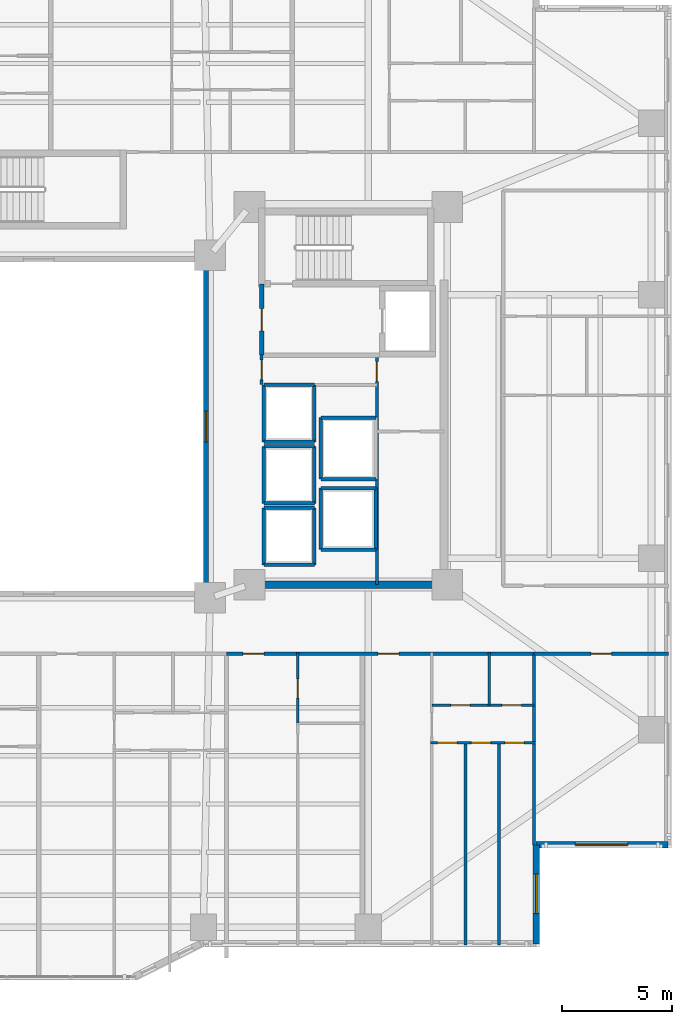
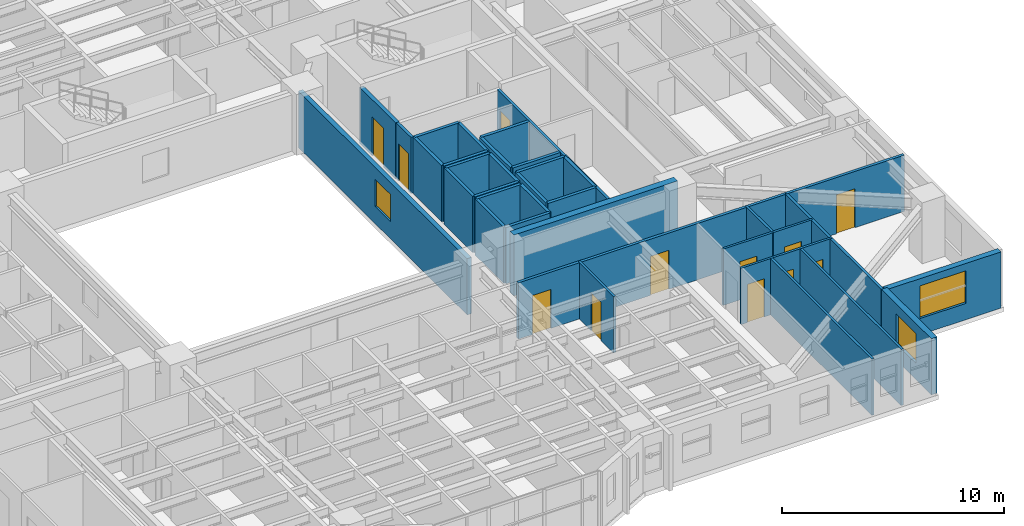
# One storey, part 13 of 22: 36 walls, 12 doors, 3 windows, 15 openings.
"""IFC4 building model written with IfcOpenShell, lengths in metres."""

import ifcopenshell
import ifcopenshell.guid

model = None  # the IFC model being written
_history = None  # IfcOwnerHistory: only IFC2X3 demands one
_inside = {}  # id of a spatial element -> (the spatial element, [elements in it])
_under = {}  # id of a project, library or spatial element -> (it, [spatial elements below it])
_declared = {}  # id of a project -> (the project, [libraries it declares])
_typed = {}  # id of a type object -> (the type object, [elements of that type])
_made_of = {}  # id of a material, layer set ... -> (it, [elements and type objects made of it])


def new_model(schema):
    """Start an empty IFC model of exactly this schema.

    Asked for "IFC4X3", IfcOpenShell would pick the latest addendum, in which some entities
    have other attributes; the version numbers below select the first issue.
    IFC2X3 requires an IfcOwnerHistory on every rooted entity: one is made here for all.
    """
    global model, _history
    if schema == "IFC4X3":
        model = ifcopenshell.file(schema_version=(4, 3, 0, 0))
    else:
        model = ifcopenshell.file(schema=schema)
    _inside.clear()
    _under.clear()
    _declared.clear()
    _typed.clear()
    _made_of.clear()
    _history = None
    if model.schema == "IFC2X3":
        org = make("IfcOrganization", Name="unknown")
        user = make(
            "IfcPersonAndOrganization",
            ThePerson=make("IfcPerson", FamilyName="unknown"),
            TheOrganization=org,
        )
        app = make(
            "IfcApplication",
            ApplicationDeveloper=org,
            Version="unknown",
            ApplicationFullName="unknown",
            ApplicationIdentifier="unknown",
        )
        _history = make(
            "IfcOwnerHistory",
            OwningUser=user,
            OwningApplication=app,
            ChangeAction="ADDED",
            CreationDate=0,
        )
    return model


def make(cls, **values):
    """One entity of the class cls with the attributes given. An attribute that is None is left unset."""
    return model.create_entity(
        cls, **{name: value for name, value in values.items() if value is not None}
    )


def rooted(cls, **values):
    """An entity with a GlobalId (a new one), such as an element, a storey or a relation."""
    return make(cls, GlobalId=ifcopenshell.guid.new(), OwnerHistory=_history, **values)


def si_unit(unit_type, name, prefix=None):
    """IfcSIUnit, for example si_unit("LENGTHUNIT", "METRE", prefix="MILLI")."""
    return make("IfcSIUnit", UnitType=unit_type, Prefix=prefix, Name=name)


def assignment(units):
    """IfcUnitAssignment: the units of a project."""
    return None if units is None else make("IfcUnitAssignment", Units=units)


def point(xyz):
    """IfcCartesianPoint."""
    return None if xyz is None else make("IfcCartesianPoint", Coordinates=xyz)


def direction(xyz):
    """IfcDirection."""
    return None if xyz is None else make("IfcDirection", DirectionRatios=xyz)


def frame(location, z_axis=None, x_axis=None):
    """IfcAxis2Placement3D, a coordinate frame: its origin and axes. An axis left out is left unset."""
    return make(
        "IfcAxis2Placement3D",
        Location=point(location),
        Axis=direction(z_axis),
        RefDirection=direction(x_axis),
    )


def frame_2d(location, x_axis=None):
    """IfcAxis2Placement2D, a coordinate frame in the plane: its origin and x axis."""
    return make(
        "IfcAxis2Placement2D", Location=point(location), RefDirection=direction(x_axis)
    )


def origin():
    """The frame at (0, 0, 0) with its axes left unset."""
    return frame((0.0, 0.0, 0.0))


def place(relative_to, where):
    """IfcLocalPlacement: puts the frame where relative to a parent placement (None: the world)."""
    return make(
        "IfcLocalPlacement", PlacementRelTo=relative_to, RelativePlacement=where
    )


def context(
    kind, dimensions, precision=None, world=None, true_north=None, identifier=None
):
    """IfcGeometricRepresentationContext, for example the 3D "Model" context."""
    return make(
        "IfcGeometricRepresentationContext",
        ContextIdentifier=identifier,
        ContextType=kind,
        CoordinateSpaceDimension=dimensions,
        Precision=precision,
        WorldCoordinateSystem=world,
        TrueNorth=true_north,
    )


def subcontext(parent, identifier, kind, view, scale=None):
    """IfcGeometricRepresentationSubContext, for example "Body" below "Model"."""
    return make(
        "IfcGeometricRepresentationSubContext",
        ContextIdentifier=identifier,
        ContextType=kind,
        ParentContext=parent,
        TargetScale=scale,
        TargetView=view,
    )


def project(units=None, contexts=None):
    """IfcProject with its units and contexts."""
    return rooted(
        "IfcProject",
        Name="project",
        RepresentationContexts=contexts,
        UnitsInContext=assignment(units),
    )


def spatial(cls, under=None, at=None, **own):
    """A site, building, storey or space (cls), placed at a placement, below another one or the project."""
    s = rooted(cls, ObjectPlacement=at, **own)
    if under is not None:
        _under.setdefault(under.id(), (under, []))[1].append(s)
    return s


def profile(cls, at=None, kind="AREA", **sizes):
    """A parametric profile (cls). Its sizes go by their IFC names, for example OverallWidth=200.0."""
    return make(cls, ProfileType=kind, Position=at, **sizes)


def rectangle(**sizes):
    """IfcRectangleProfileDef."""
    return profile("IfcRectangleProfileDef", **sizes)


def extrude(swept, where, along, depth):
    """IfcExtrudedAreaSolid: the profile swept, set in the frame where, extruded along a direction by depth."""
    return make(
        "IfcExtrudedAreaSolid",
        SweptArea=swept,
        Position=where,
        ExtrudedDirection=direction(along),
        Depth=depth,
    )


def shape(context_of_items, identifier, shape_type, items):
    """IfcShapeRepresentation: the items that make up one representation, for example the "Body"."""
    return make(
        "IfcShapeRepresentation",
        ContextOfItems=context_of_items,
        RepresentationIdentifier=identifier,
        RepresentationType=shape_type,
        Items=items,
    )


def material(Name=None, Category=None):
    """IfcMaterial."""
    return make("IfcMaterial", Name=Name, Category=Category)


def layer(
    of_material, thickness, ventilated=None, Name=None, Category=None, Priority=None
):
    """IfcMaterialLayer: one layer of a wall or slab, of a material (None: an air gap)."""
    return make(
        "IfcMaterialLayer",
        Material=of_material,
        LayerThickness=thickness,
        IsVentilated=ventilated,
        Name=Name,
        Category=Category,
        Priority=Priority,
    )


def layer_set(layers, Name=None):
    """IfcMaterialLayerSet."""
    return make("IfcMaterialLayerSet", MaterialLayers=layers, LayerSetName=Name)


def made_of(thing, what):
    """Note that an element or type object is made of a material, layer set ...; save() writes the relation."""
    if what is not None:
        _made_of.setdefault(what.id(), (what, []))[1].append(thing)
    return thing


def type_object(cls, material=None, **own):
    """A type object (cls), such as IfcWallType, which elements share."""
    return made_of(rooted(cls, **own), material)


def element(
    cls,
    number,
    at=None,
    inside=None,
    cuts=None,
    type_object=None,
    material=None,
    context=None,
    identifier="Body",
    shape_type=None,
    held_by="IfcProductDefinitionShape",
    body=None,
    shapes=None,
    **own,
):
    """One element of the class cls, such as IfcWall. Its Tag is "e" and its number.

    at: its placement. inside: the storey or other place that contains it. cuts: it is an
    opening in that element (IfcRelVoidsElement). A single representation is given by context,
    identifier, shape_type and body (its items); several are given by shapes. held_by: the class
    of the entity that holds the representations. save() writes the other relations.
    """
    e = rooted(cls, Tag="e%d" % number, ObjectPlacement=at, **own)
    if body is not None:
        shapes = [shape(context, identifier, shape_type, body)]
    if shapes is not None:
        e.Representation = make(held_by, Representations=shapes)
    if inside is not None:
        _inside.setdefault(inside.id(), (inside, []))[1].append(e)
    if cuts is not None:
        rooted(
            "IfcRelVoidsElement", RelatingBuildingElement=cuts, RelatedOpeningElement=e
        )
    if type_object is not None:
        _typed.setdefault(type_object.id(), (type_object, []))[1].append(e)
    return made_of(e, material)


def fill(opening, filler):
    """IfcRelFillsElement: the door or window that sits in an opening."""
    return rooted(
        "IfcRelFillsElement",
        RelatingOpeningElement=opening,
        RelatedBuildingElement=filler,
    )


def aggregate(whole, parts):
    """IfcRelAggregates: a whole, such as a stair, and the parts it consists of."""
    return rooted("IfcRelAggregates", RelatingObject=whole, RelatedObjects=parts)


def save(model, path):
    """Write the relations noted so far, then the file.

    IfcRelAggregates (storeys below a building ...), IfcRelContainedInSpatialStructure (elements
    in a storey), IfcRelDefinesByType, IfcRelAssociatesMaterial and IfcRelDeclares: one each for
    every whole, place, type object, material and project.
    """
    for whole, parts in _under.values():
        aggregate(whole, parts)
    for where, things in _inside.values():
        rooted(
            "IfcRelContainedInSpatialStructure",
            RelatedElements=things,
            RelatingStructure=where,
        )
    for kind, things in _typed.values():
        rooted("IfcRelDefinesByType", RelatedObjects=things, RelatingType=kind)
    for what, things in _made_of.values():
        rooted("IfcRelAssociatesMaterial", RelatedObjects=things, RelatingMaterial=what)
    for by, libraries in _declared.values():
        rooted("IfcRelDeclares", RelatingContext=by, RelatedDefinitions=libraries)
    model.write(path)


model = new_model("IFC4")

# Units and contexts
model_context = context("Model", 3, precision=1e-05, world=origin(), true_north=direction((0.0, 1.0)))
body_context = subcontext(model_context, "Body", "Model", "MODEL_VIEW")
ifc_project = project(units=[si_unit("LENGTHUNIT", "METRE"), si_unit("AREAUNIT", "SQUARE_METRE"), si_unit("VOLUMEUNIT", "CUBIC_METRE"), si_unit("PLANEANGLEUNIT", "RADIAN"), si_unit("MASSUNIT", "GRAM", prefix="KILO")], contexts=[model_context])

# Site, building, storey
site_placement = place(None, origin())
site = spatial("IfcSite", under=ifc_project, at=site_placement, CompositionType="ELEMENT")
building_placement = place(site_placement, origin())
building = spatial("IfcBuilding", under=site, at=building_placement, Name="Tarnavaz Court Tower", CompositionType="ELEMENT")
storey_placement = place(building_placement, frame((0.0, 0.0, 27.35009765625)))
storey = spatial("IfcBuildingStorey", under=building, at=storey_placement, Name="L06", CompositionType="ELEMENT", Elevation=27.35009765625)

# Wall
ifc_material_1 = material(Name="Concrete C60/75", Category="concrete")
ifc_layer_1 = layer(ifc_material_1, 0.35009765625)
ifc_layer_set_1 = layer_set([ifc_layer_1], Name="Concrete C60/75")
wall_type_1 = type_object("IfcWallType", Name="WL-CORE-350-C60", PredefinedType="SHEAR", material=ifc_layer_set_1)
wall_1_placement = place(storey_placement, frame((10.074951171875, -7.199951171875, 0.0), z_axis=(0.0, 0.0, 1.0), x_axis=(1.0, 0.0, 0.0)))
element("IfcWall", 1, at=wall_1_placement, inside=storey, type_object=wall_type_1, Name="L06 East Core South Shear Wall 072", PredefinedType="SHEAR", context=body_context, shape_type="SweptSolid", body=[
    extrude(rectangle(XDim=8.550048828125, YDim=0.35009765625, at=frame_2d((4.27490234375, 0.0))), origin(), (0.0, 0.0, 1.0), 3.349853515625),
])

# Wall, opening, window
ifc_material_2 = material(Name="Precast Concrete C40/50", Category="concrete")
ifc_layer_2 = layer(ifc_material_2, 0.300048828125)
ifc_layer_set_2 = layer_set([ifc_layer_2], Name="Precast Concrete C40/50")
wall_type_2 = type_object("IfcWallType", Name="WL-EXT-300", PredefinedType="SOLIDWALL", material=ifc_layer_set_2)
wall_2_placement = place(storey_placement, frame((28.64990234375, -19.050048828125, 0.0), z_axis=(0.0, 0.0, 1.0), x_axis=(-1.0, 0.0, 0.0)))
wall_2 = element("IfcWall", 2, at=wall_2_placement, inside=storey, type_object=wall_type_2, Name="L06 Exterior Terracotta Facade Wall 13", PredefinedType="SOLIDWALL", context=body_context, shape_type="SweptSolid", body=[
    extrude(rectangle(XDim=6.0, YDim=0.300048828125, at=frame_2d((3.0, 0.0))), origin(), (0.0, 0.0, 1.0), 3.099853515625),
])
opening_1_placement = place(wall_2_placement, frame((1.824951171875, 0.0, 0.89990234375)))
opening_1 = element("IfcOpeningElement", 3, at=opening_1_placement, cuts=wall_2, Name="Opening W06", PredefinedType="OPENING", context=body_context, shape_type="SweptSolid", body=[
    extrude(rectangle(XDim=2.39990234375, YDim=1.800048828125, at=frame_2d((1.199951171875, 0.89990234375))), frame((0.0, 0.159912109375, 0.0), z_axis=(0.0, -1.0, 0.0), x_axis=(1.0, 0.0, 0.0)), (0.0, 0.0, 1.0), 0.320068359375),
])
ifc_material_3 = material(Name="Double-Glazed Solar Low-E Glass", Category="glass")
window_type_1 = type_object("IfcWindowType", Name="WN-APT-2400", PartitioningType="TRIPLE_PANEL_VERTICAL", PredefinedType="WINDOW", material=ifc_material_3)
window_1_placement = place(opening_1_placement, origin())
window_1 = element("IfcWindow", 4, at=window_1_placement, inside=storey, type_object=window_type_1, Name="L06 South-East Corner Reading Room Window", OverallHeight=1.800048828125, OverallWidth=2.39990234375, PartitioningType="SINGLE_PANEL", PredefinedType="WINDOW", context=body_context, shape_type="SweptSolid", body=[
    extrude(rectangle(XDim=2.39990234375, YDim=1.800048828125, at=frame_2d((1.199951171875, 0.89990234375))), frame((0.0, 0.030029296875, 0.0), z_axis=(0.0, -1.0, 0.0), x_axis=(1.0, 0.0, 0.0)), (0.0, 0.0, 1.0), 0.06005859375),
])
fill(opening_1, window_1)

wall_3_placement = place(storey_placement, frame((22.64990234375, -19.050048828125, 0.0), z_axis=(0.0, 0.0, 1.0), x_axis=(0.0, -1.0, 0.0)))
wall_3 = element("IfcWall", 5, at=wall_3_placement, inside=storey, type_object=wall_type_2, Name="L06 Exterior Terracotta Facade Wall 14", PredefinedType="SOLIDWALL", context=body_context, shape_type="SweptSolid", body=[
    extrude(rectangle(XDim=4.5, YDim=0.300048828125, at=frame_2d((2.25, 0.0))), origin(), (0.0, 0.0, 1.0), 3.099853515625),
])
opening_2_placement = place(wall_3_placement, frame((1.33251953125, 0.0, 0.89990234375)))
opening_2 = element("IfcOpeningElement", 6, at=opening_2_placement, cuts=wall_3, Name="Opening W01", PredefinedType="OPENING", context=body_context, shape_type="SweptSolid", body=[
    extrude(rectangle(XDim=1.800048828125, YDim=1.64990234375, at=frame_2d((0.89990234375, 0.824951171875))), frame((0.0, 0.159912109375, 0.0), z_axis=(0.0, -1.0, 0.0), x_axis=(1.0, 0.0, 0.0)), (0.0, 0.0, 1.0), 0.320068359375),
])
window_type_2 = type_object("IfcWindowType", Name="WN-APT-1800", PartitioningType="DOUBLE_PANEL_VERTICAL", PredefinedType="WINDOW", material=ifc_material_3)
window_2_placement = place(opening_2_placement, origin())
window_2 = element("IfcWindow", 7, at=window_2_placement, inside=storey, type_object=window_type_2, Name="L06 Flat 08 Bedroom 3 Window", OverallHeight=1.64990234375, OverallWidth=1.800048828125, PartitioningType="SINGLE_PANEL", PredefinedType="WINDOW", context=body_context, shape_type="SweptSolid", body=[
    extrude(rectangle(XDim=1.800048828125, YDim=1.64990234375, at=frame_2d((0.89990234375, 0.824951171875))), frame((0.0, 0.030029296875, 0.0), z_axis=(0.0, -1.0, 0.0), x_axis=(1.0, 0.0, 0.0)), (0.0, 0.0, 1.0), 0.06005859375),
])
fill(opening_2, window_2)

# Wall, openings, doors
ifc_material_4 = material(Name="Gypsum Fire-Board on Acoustic Metal Stud", Category="masonry")
ifc_layer_3 = layer(ifc_material_4, 0.14990234375)
ifc_layer_set_3 = layer_set([ifc_layer_3], Name="Gypsum Fire-Board on Acoustic Metal Stud")
wall_type_3 = type_object("IfcWallType", Name="WL-FIRE-150", PredefinedType="PARTITIONING", material=ifc_layer_set_3)
wall_4_placement = place(storey_placement, frame((8.550048828125, -10.35009765625, 0.0), z_axis=(0.0, 0.0, 1.0), x_axis=(1.0, 0.0, 0.0)))
wall_4 = element("IfcWall", 8, at=wall_4_placement, inside=storey, type_object=wall_type_3, Name="L06 SE Corridor Wall 087", PredefinedType="PARTITIONING", context=body_context, shape_type="SweptSolid", body=[
    extrude(rectangle(XDim=14.0, YDim=0.14990234375, at=frame_2d((7.0, 0.0))), origin(), (0.0, 0.0, 1.0), 3.099853515625),
])
opening_3_placement = place(wall_4_placement, frame((0.75, 0.0, 0.0)))
opening_3 = element("IfcOpeningElement", 9, at=opening_3_placement, cuts=wall_4, Name="Opening D06", PredefinedType="OPENING", context=body_context, shape_type="SweptSolid", body=[
    extrude(rectangle(XDim=0.9599609375, YDim=2.14990234375, at=frame_2d((0.47998046875, 1.074951171875))), frame((0.0, 0.0849609375, 0.0), z_axis=(0.0, -1.0, 0.0), x_axis=(1.0, 0.0, 0.0)), (0.0, 0.0, 1.0), 0.169921875),
])
opening_4_placement = place(wall_4_placement, frame((6.887939453125, 0.0, 0.0)))
opening_4 = element("IfcOpeningElement", 10, at=opening_4_placement, cuts=wall_4, Name="Opening D06", PredefinedType="OPENING", context=body_context, shape_type="SweptSolid", body=[
    extrude(rectangle(XDim=0.9599609375, YDim=2.14990234375, at=frame_2d((0.47998046875, 1.074951171875))), frame((0.0, 0.0849609375, 0.0), z_axis=(0.0, -1.0, 0.0), x_axis=(1.0, 0.0, 0.0)), (0.0, 0.0, 1.0), 0.169921875),
])
ifc_material_5 = material(Name="Fire-Rated Hardwood Timber Core", Category="wood")
door_type_1 = type_object("IfcDoorType", Name="DR-FD60-950", OperationType="NOTDEFINED", PredefinedType="DOOR", material=ifc_material_5)
door_1_placement = place(opening_3_placement, origin())
door_1 = element("IfcDoor", 11, at=door_1_placement, inside=storey, type_object=door_type_1, Name="L06 Flat 07 Entrance Door", OperationType="SINGLE_SWING_LEFT", OverallHeight=2.14990234375, OverallWidth=0.9599609375, PredefinedType="DOOR", context=body_context, shape_type="SweptSolid", body=[
    extrude(rectangle(XDim=0.9599609375, YDim=2.14990234375, at=frame_2d((0.47998046875, 1.074951171875))), frame((0.0, 0.02490234375, 0.0), z_axis=(0.0, -1.0, 0.0), x_axis=(1.0, 0.0, 0.0)), (0.0, 0.0, 1.0), 0.050048828125),
])
fill(opening_3, door_1)
door_2_placement = place(opening_4_placement, origin())
door_2 = element("IfcDoor", 12, at=door_2_placement, inside=storey, type_object=door_type_1, Name="L06 Flat 08 Entrance Door", OperationType="SINGLE_SWING_RIGHT", OverallHeight=2.14990234375, OverallWidth=0.9599609375, PredefinedType="DOOR", context=body_context, shape_type="SweptSolid", body=[
    extrude(rectangle(XDim=0.9599609375, YDim=2.14990234375, at=frame_2d((0.47998046875, 1.074951171875))), frame((0.0, 0.02490234375, 0.0), z_axis=(0.0, -1.0, 0.0), x_axis=(1.0, 0.0, 0.0)), (0.0, 0.0, 1.0), 0.050048828125),
])
fill(opening_4, door_2)

# Wall, opening, door
wall_5_placement = place(storey_placement, frame((22.550048828125, -10.35009765625, 0.0), z_axis=(0.0, 0.0, 1.0), x_axis=(1.0, 0.0, 0.0)))
wall_5 = element("IfcWall", 13, at=wall_5_placement, inside=storey, type_object=wall_type_3, Name="L06 Interior Partition 156", PredefinedType="PARTITIONING", context=body_context, shape_type="SweptSolid", body=[
    extrude(rectangle(XDim=6.1298828125, YDim=0.14990234375, at=frame_2d((3.06494140625, 0.0))), origin(), (0.0, 0.0, 1.0), 3.099853515625),
])
opening_5_placement = place(wall_5_placement, frame((2.590087890625, 0.0, 0.0)))
opening_5 = element("IfcOpeningElement", 14, at=opening_5_placement, cuts=wall_5, Name="Opening D13", PredefinedType="OPENING", context=body_context, shape_type="SweptSolid", body=[
    extrude(rectangle(XDim=0.949951171875, YDim=2.14990234375, at=frame_2d((0.47509765625, 1.074951171875))), frame((0.0, 0.0849609375, 0.0), z_axis=(0.0, -1.0, 0.0), x_axis=(1.0, 0.0, 0.0)), (0.0, 0.0, 1.0), 0.169921875),
])
ifc_material_6 = material(Name="Engineered Oak Timber", Category="wood")
door_type_2 = type_object("IfcDoorType", Name="DR-INT-950", OperationType="NOTDEFINED", PredefinedType="DOOR", material=ifc_material_6)
door_3_placement = place(opening_5_placement, origin())
door_3 = element("IfcDoor", 15, at=door_3_placement, inside=storey, type_object=door_type_2, Name="L06 SE Reading Room Door", OperationType="SINGLE_SWING_RIGHT", OverallHeight=2.14990234375, OverallWidth=0.949951171875, PredefinedType="DOOR", context=body_context, shape_type="SweptSolid", body=[
    extrude(rectangle(XDim=0.949951171875, YDim=2.14990234375, at=frame_2d((0.47509765625, 1.074951171875))), frame((0.0, 0.02490234375, 0.0), z_axis=(0.0, -1.0, 0.0), x_axis=(1.0, 0.0, 0.0)), (0.0, 0.0, 1.0), 0.050048828125),
])
fill(opening_5, door_3)

ifc_material_7 = material(Name="Autoclaved Aerated Concrete Blockwork", Category="masonry")
ifc_layer_4 = layer(ifc_material_7, 0.199951171875)
ifc_layer_set_4 = layer_set([ifc_layer_4], Name="Autoclaved Aerated Concrete Blockwork")
wall_type_4 = type_object("IfcWallType", Name="WL-FIRE-200", PredefinedType="SOLIDWALL", material=ifc_layer_set_4)
wall_6_placement = place(storey_placement, frame((10.14990234375, 3.25, 0.0), z_axis=(0.0, 0.0, 1.0), x_axis=(0.0, 1.0, 0.0)))
wall_6 = element("IfcWall", 16, at=wall_6_placement, inside=storey, type_object=wall_type_4, Name="L06 East Firefighting Lobby Wall 016", PredefinedType="SOLIDWALL", context=body_context, shape_type="SweptSolid", body=[
    extrude(rectangle(XDim=3.25, YDim=0.199951171875, at=frame_2d((1.625, 0.0))), origin(), (0.0, 0.0, 1.0), 3.099853515625),
])
opening_6_placement = place(wall_6_placement, frame((1.10009765625, 0.0, 0.0)))
opening_6 = element("IfcOpeningElement", 17, at=opening_6_placement, cuts=wall_6, Name="Opening D05", PredefinedType="OPENING", context=body_context, shape_type="SweptSolid", body=[
    extrude(rectangle(XDim=1.02001953125, YDim=2.14990234375, at=frame_2d((0.510009765625, 1.074951171875))), frame((0.0, 0.10986328125, 0.0), z_axis=(0.0, -1.0, 0.0), x_axis=(1.0, 0.0, 0.0)), (0.0, 0.0, 1.0), 0.219970703125),
])
door_type_3 = type_object("IfcDoorType", Name="DR-FD60-1000", OperationType="NOTDEFINED", PredefinedType="DOOR", material=ifc_material_5)
door_4_placement = place(opening_6_placement, origin())
door_4 = element("IfcDoor", 18, at=door_4_placement, inside=storey, type_object=door_type_3, Name="L06 East Firefighting Lobby Door", OperationType="SINGLE_SWING_LEFT", OverallHeight=2.14990234375, OverallWidth=1.02001953125, PredefinedType="DOOR", context=body_context, shape_type="SweptSolid", body=[
    extrude(rectangle(XDim=1.02001953125, YDim=2.14990234375, at=frame_2d((0.510009765625, 1.074951171875))), frame((0.0, 0.02490234375, 0.0), z_axis=(0.0, -1.0, 0.0), x_axis=(1.0, 0.0, 0.0)), (0.0, 0.0, 1.0), 0.050048828125),
])
fill(opening_6, door_4)

ifc_material_8 = material(Name="Moisture-Resistant Gypsum Board Partition", Category="masonry")
ifc_layer_5 = layer(ifc_material_8, 0.1201171875)
ifc_layer_set_5 = layer_set([ifc_layer_5], Name="Moisture-Resistant Gypsum Board Partition")
wall_type_5 = type_object("IfcWallType", Name="WL-PART-120", PredefinedType="PARTITIONING", material=ifc_layer_set_5)
wall_7_placement = place(storey_placement, frame((11.7890625, -13.510009765625, 0.0), z_axis=(0.0, 0.0, 1.0), x_axis=(0.0, 1.0, 0.0)))
wall_7 = element("IfcWall", 19, at=wall_7_placement, inside=storey, type_object=wall_type_5, Name="L06 Interior Partition 121", PredefinedType="PARTITIONING", context=body_context, shape_type="SweptSolid", body=[
    extrude(rectangle(XDim=3.219970703125, YDim=0.1201171875, at=frame_2d((1.60986328125, 0.0))), origin(), (0.0, 0.0, 1.0), 3.099853515625),
])
opening_7_placement = place(wall_7_placement, frame((1.139892578125, 0.0, 0.0)))
opening_7 = element("IfcOpeningElement", 20, at=opening_7_placement, cuts=wall_7, Name="Opening D14", PredefinedType="OPENING", context=body_context, shape_type="SweptSolid", body=[
    extrude(rectangle(XDim=0.8798828125, YDim=2.10009765625, at=frame_2d((0.43994140625, 1.050048828125))), frame((0.0, 0.070068359375, 0.0), z_axis=(0.0, -1.0, 0.0), x_axis=(1.0, 0.0, 0.0)), (0.0, 0.0, 1.0), 0.14013671875),
])
door_type_4 = type_object("IfcDoorType", Name="DR-INT-900", OperationType="NOTDEFINED", PredefinedType="DOOR", material=ifc_material_6)
door_5_placement = place(opening_7_placement, origin())
door_5 = element("IfcDoor", 21, at=door_5_placement, inside=storey, type_object=door_type_4, Name="L06 Flat 07 Bathroom Door", OperationType="SINGLE_SWING_LEFT", OverallHeight=2.10009765625, OverallWidth=0.8798828125, PredefinedType="DOOR", context=body_context, shape_type="SweptSolid", body=[
    extrude(rectangle(XDim=0.8798828125, YDim=2.10009765625, at=frame_2d((0.43994140625, 1.050048828125))), frame((0.0, 0.02490234375, 0.0), z_axis=(0.0, -1.0, 0.0), x_axis=(1.0, 0.0, 0.0)), (0.0, 0.0, 1.0), 0.050048828125),
])
fill(opening_7, door_5)

wall_8_placement = place(storey_placement, frame((17.89794921875, -12.68994140625, 0.0), z_axis=(0.0, 0.0, 1.0), x_axis=(1.0, 0.0, 0.0)))
wall_8 = element("IfcWall", 22, at=wall_8_placement, inside=storey, type_object=wall_type_5, Name="L06 Interior Partition 124", PredefinedType="PARTITIONING", context=body_context, shape_type="SweptSolid", body=[
    extrude(rectangle(XDim=2.616943359375, YDim=0.1201171875, at=frame_2d((1.30859375, 0.0))), origin(), (0.0, 0.0, 1.0), 3.099853515625),
])
opening_8_placement = place(wall_8_placement, frame((0.868896484375, 0.0, 0.0)))
opening_8 = element("IfcOpeningElement", 23, at=opening_8_placement, cuts=wall_8, Name="Opening D14", PredefinedType="OPENING", context=body_context, shape_type="SweptSolid", body=[
    extrude(rectangle(XDim=0.8798828125, YDim=2.10009765625, at=frame_2d((0.43994140625, 1.050048828125))), frame((0.0, 0.070068359375, 0.0), z_axis=(0.0, -1.0, 0.0), x_axis=(1.0, 0.0, 0.0)), (0.0, 0.0, 1.0), 0.14013671875),
])
door_6_placement = place(opening_8_placement, origin())
door_6 = element("IfcDoor", 24, at=door_6_placement, inside=storey, type_object=door_type_4, Name="L06 Flat 08 Kitchen Door", OperationType="SINGLE_SWING_RIGHT", OverallHeight=2.10009765625, OverallWidth=0.8798828125, PredefinedType="DOOR", context=body_context, shape_type="SweptSolid", body=[
    extrude(rectangle(XDim=0.8798828125, YDim=2.10009765625, at=frame_2d((0.43994140625, 1.050048828125))), frame((0.0, 0.02490234375, 0.0), z_axis=(0.0, -1.0, 0.0), x_axis=(1.0, 0.0, 0.0)), (0.0, 0.0, 1.0), 0.050048828125),
])
fill(opening_8, door_6)

wall_9_placement = place(storey_placement, frame((20.514892578125, -12.68994140625, 0.0), z_axis=(0.0, 0.0, 1.0), x_axis=(1.0, 0.0, 0.0)))
wall_9 = element("IfcWall", 25, at=wall_9_placement, inside=storey, type_object=wall_type_5, Name="L06 Interior Partition 125", PredefinedType="PARTITIONING", context=body_context, shape_type="SweptSolid", body=[
    extrude(rectangle(XDim=2.03515625, YDim=0.1201171875, at=frame_2d((1.017578125, 0.0))), origin(), (0.0, 0.0, 1.0), 3.099853515625),
])
opening_9_placement = place(wall_9_placement, frame((0.577880859375, 0.0, 0.0)))
opening_9 = element("IfcOpeningElement", 26, at=opening_9_placement, cuts=wall_9, Name="Opening D14", PredefinedType="OPENING", context=body_context, shape_type="SweptSolid", body=[
    extrude(rectangle(XDim=0.8798828125, YDim=2.10009765625, at=frame_2d((0.43994140625, 1.050048828125))), frame((0.0, 0.070068359375, 0.0), z_axis=(0.0, -1.0, 0.0), x_axis=(1.0, 0.0, 0.0)), (0.0, 0.0, 1.0), 0.14013671875),
])
door_7_placement = place(opening_9_placement, origin())
door_7 = element("IfcDoor", 27, at=door_7_placement, inside=storey, type_object=door_type_4, Name="L06 Flat 08 Bathroom Door", OperationType="SINGLE_SWING_LEFT", OverallHeight=2.10009765625, OverallWidth=0.8798828125, PredefinedType="DOOR", context=body_context, shape_type="SweptSolid", body=[
    extrude(rectangle(XDim=0.8798828125, YDim=2.10009765625, at=frame_2d((0.43994140625, 1.050048828125))), frame((0.0, 0.02490234375, 0.0), z_axis=(0.0, -1.0, 0.0), x_axis=(1.0, 0.0, 0.0)), (0.0, 0.0, 1.0), 0.050048828125),
])
fill(opening_9, door_7)

# Wall, openings, doors
wall_10_placement = place(storey_placement, frame((17.837890625, -14.39990234375, 0.0), z_axis=(0.0, 0.0, 1.0), x_axis=(1.0, 0.0, 0.0)))
wall_10 = element("IfcWall", 28, at=wall_10_placement, inside=storey, type_object=wall_type_5, Name="L06 Interior Partition 126", PredefinedType="PARTITIONING", context=body_context, shape_type="SweptSolid", body=[
    extrude(rectangle(XDim=4.772216796875, YDim=0.1201171875, at=frame_2d((2.38623046875, 0.0))), origin(), (0.0, 0.0, 1.0), 3.099853515625),
])
opening_10_placement = place(wall_10_placement, frame((0.324951171875, 0.0, 0.0)))
opening_10 = element("IfcOpeningElement", 29, at=opening_10_placement, cuts=wall_10, Name="Opening D14", PredefinedType="OPENING", context=body_context, shape_type="SweptSolid", body=[
    extrude(rectangle(XDim=0.8798828125, YDim=2.10009765625, at=frame_2d((0.43994140625, 1.050048828125))), frame((0.0, 0.070068359375, 0.0), z_axis=(0.0, -1.0, 0.0), x_axis=(1.0, 0.0, 0.0)), (0.0, 0.0, 1.0), 0.14013671875),
])
opening_11_placement = place(wall_10_placement, frame((1.85595703125, 0.0, 0.0)))
opening_11 = element("IfcOpeningElement", 30, at=opening_11_placement, cuts=wall_10, Name="Opening D14", PredefinedType="OPENING", context=body_context, shape_type="SweptSolid", body=[
    extrude(rectangle(XDim=0.8798828125, YDim=2.10009765625, at=frame_2d((0.43994140625, 1.050048828125))), frame((0.0, 0.070068359375, 0.0), z_axis=(0.0, -1.0, 0.0), x_axis=(1.0, 0.0, 0.0)), (0.0, 0.0, 1.0), 0.14013671875),
])
opening_12_placement = place(wall_10_placement, frame((3.386962890625, 0.0, 0.0)))
opening_12 = element("IfcOpeningElement", 31, at=opening_12_placement, cuts=wall_10, Name="Opening D14", PredefinedType="OPENING", context=body_context, shape_type="SweptSolid", body=[
    extrude(rectangle(XDim=0.8798828125, YDim=2.10009765625, at=frame_2d((0.43994140625, 1.050048828125))), frame((0.0, 0.070068359375, 0.0), z_axis=(0.0, -1.0, 0.0), x_axis=(1.0, 0.0, 0.0)), (0.0, 0.0, 1.0), 0.14013671875),
])
door_8_placement = place(opening_10_placement, origin())
door_8 = element("IfcDoor", 32, at=door_8_placement, inside=storey, type_object=door_type_4, Name="L06 Flat 08 Bedroom 1 Door", OperationType="SINGLE_SWING_RIGHT", OverallHeight=2.10009765625, OverallWidth=0.8798828125, PredefinedType="DOOR", context=body_context, shape_type="SweptSolid", body=[
    extrude(rectangle(XDim=0.8798828125, YDim=2.10009765625, at=frame_2d((0.43994140625, 1.050048828125))), frame((0.0, 0.02490234375, 0.0), z_axis=(0.0, -1.0, 0.0), x_axis=(1.0, 0.0, 0.0)), (0.0, 0.0, 1.0), 0.050048828125),
])
fill(opening_10, door_8)
door_9_placement = place(opening_11_placement, origin())
door_9 = element("IfcDoor", 33, at=door_9_placement, inside=storey, type_object=door_type_4, Name="L06 Flat 08 Bedroom 2 Door", OperationType="SINGLE_SWING_LEFT", OverallHeight=2.10009765625, OverallWidth=0.8798828125, PredefinedType="DOOR", context=body_context, shape_type="SweptSolid", body=[
    extrude(rectangle(XDim=0.8798828125, YDim=2.10009765625, at=frame_2d((0.43994140625, 1.050048828125))), frame((0.0, 0.02490234375, 0.0), z_axis=(0.0, -1.0, 0.0), x_axis=(1.0, 0.0, 0.0)), (0.0, 0.0, 1.0), 0.050048828125),
])
fill(opening_11, door_9)
door_10_placement = place(opening_12_placement, origin())
door_10 = element("IfcDoor", 34, at=door_10_placement, inside=storey, type_object=door_type_4, Name="L06 Flat 08 Bedroom 3 Door", OperationType="SINGLE_SWING_RIGHT", OverallHeight=2.10009765625, OverallWidth=0.8798828125, PredefinedType="DOOR", context=body_context, shape_type="SweptSolid", body=[
    extrude(rectangle(XDim=0.8798828125, YDim=2.10009765625, at=frame_2d((0.43994140625, 1.050048828125))), frame((0.0, 0.02490234375, 0.0), z_axis=(0.0, -1.0, 0.0), x_axis=(1.0, 0.0, 0.0)), (0.0, 0.0, 1.0), 0.050048828125),
])
fill(opening_12, door_10)

# Walls
wall_11_placement = place(storey_placement, frame((20.514892578125, -12.75, 0.0), z_axis=(0.0, 0.0, 1.0), x_axis=(0.0, 1.0, 0.0)))
element("IfcWall", 35, at=wall_11_placement, inside=storey, type_object=wall_type_5, Name="L06 Interior Partition 127", PredefinedType="PARTITIONING", context=body_context, shape_type="SweptSolid", body=[
    extrude(rectangle(XDim=2.4599609375, YDim=0.1201171875, at=frame_2d((1.22998046875, 0.0))), origin(), (0.0, 0.0, 1.0), 3.099853515625),
])
for number, where, z_axis, x_axis, name in (
    (36, (19.428955078125, -23.60009765625, 0.0), (0.0, 0.0, 1.0), (0.0, 1.0, 0.0), "L06 Interior Partition 128"),
    (37, (20.958984375, -23.60009765625, 0.0), (0.0, 0.0, 1.0), (0.0, 1.0, 0.0), "L06 Interior Partition 129"),
):
    element("IfcWall", number, at=place(storey_placement, frame(where, z_axis=z_axis, x_axis=x_axis)), inside=storey, type_object=wall_type_5, Name=name, PredefinedType="PARTITIONING", context=body_context, shape_type="SweptSolid", body=[
        extrude(rectangle(XDim=9.260009765625, YDim=0.1201171875, at=frame_2d((4.6298828125, 0.0))), origin(), (0.0, 0.0, 1.0), 3.099853515625),
    ])

# Wall, opening, door
ifc_material_9 = material(Name="Gypsum Plasterboard Acoustic Partition", Category="masonry")
ifc_layer_6 = layer(ifc_material_9, 0.139892578125)
ifc_layer_set_6 = layer_set([ifc_layer_6], Name="Gypsum Plasterboard Acoustic Partition")
wall_type_6 = type_object("IfcWallType", Name="WL-PART-150", PredefinedType="PARTITIONING", material=ifc_layer_set_6)
wall_12_placement = place(storey_placement, frame((10.14990234375, 1.919921875, 0.0), z_axis=(0.0, 0.0, 1.0), x_axis=(0.0, 1.0, 0.0)))
wall_12 = element("IfcWall", 38, at=wall_12_placement, inside=storey, type_object=wall_type_6, Name="L06 Interior Partition 079", PredefinedType="PARTITIONING", context=body_context, shape_type="SweptSolid", body=[
    extrude(rectangle(XDim=1.330078125, YDim=0.139892578125, at=frame_2d((0.6650390625, 0.0))), origin(), (0.0, 0.0, 1.0), 3.099853515625),
])
opening_13_placement = place(wall_12_placement, frame((0.219970703125, 0.0, 0.0)))
opening_13 = element("IfcOpeningElement", 39, at=opening_13_placement, cuts=wall_12, Name="Opening D09", PredefinedType="OPENING", context=body_context, shape_type="SweptSolid", body=[
    extrude(rectangle(XDim=0.89990234375, YDim=2.080078125, at=frame_2d((0.449951171875, 1.0400390625))), frame((0.0, 0.079833984375, 0.0), z_axis=(0.0, -1.0, 0.0), x_axis=(1.0, 0.0, 0.0)), (0.0, 0.0, 1.0), 0.159912109375),
])
door_type_5 = type_object("IfcDoorType", Name="DR-FD30-900", OperationType="NOTDEFINED", PredefinedType="DOOR", material=ifc_material_5)
door_11_placement = place(opening_13_placement, origin())
door_11 = element("IfcDoor", 40, at=door_11_placement, inside=storey, type_object=door_type_5, Name="L06 East Core Service Lobby Door", OperationType="SINGLE_SWING_LEFT", OverallHeight=2.080078125, OverallWidth=0.89990234375, PredefinedType="DOOR", context=body_context, shape_type="SweptSolid", body=[
    extrude(rectangle(XDim=0.89990234375, YDim=2.080078125, at=frame_2d((0.449951171875, 1.0400390625))), frame((0.0, 0.02490234375, 0.0), z_axis=(0.0, -1.0, 0.0), x_axis=(1.0, 0.0, 0.0)), (0.0, 0.0, 1.0), 0.050048828125),
])
fill(opening_13, door_11)

wall_13_placement = place(storey_placement, frame((15.39990234375, -7.199951171875, 0.0), z_axis=(0.0, 0.0, 1.0), x_axis=(0.0, 1.0, 0.0)))
wall_13 = element("IfcWall", 41, at=wall_13_placement, inside=storey, type_object=wall_type_6, Name="L06 Interior Partition 080", PredefinedType="PARTITIONING", context=body_context, shape_type="SweptSolid", body=[
    extrude(rectangle(XDim=10.449951171875, YDim=0.139892578125, at=frame_2d((5.22509765625, 0.0))), origin(), (0.0, 0.0, 1.0), 3.099853515625),
])
opening_14_placement = place(wall_13_placement, frame((9.25, 0.0, 0.0)))
opening_14 = element("IfcOpeningElement", 42, at=opening_14_placement, cuts=wall_13, Name="Opening D09", PredefinedType="OPENING", context=body_context, shape_type="SweptSolid", body=[
    extrude(rectangle(XDim=0.89990234375, YDim=2.080078125, at=frame_2d((0.449951171875, 1.0400390625))), frame((0.0, 0.079833984375, 0.0), z_axis=(0.0, -1.0, 0.0), x_axis=(1.0, 0.0, 0.0)), (0.0, 0.0, 1.0), 0.159912109375),
])
door_12_placement = place(opening_14_placement, origin())
door_12 = element("IfcDoor", 43, at=door_12_placement, inside=storey, type_object=door_type_5, Name="L06 East Wet Riser Door", OperationType="SINGLE_SWING_RIGHT", OverallHeight=2.080078125, OverallWidth=0.89990234375, PredefinedType="DOOR", context=body_context, shape_type="SweptSolid", body=[
    extrude(rectangle(XDim=0.89990234375, YDim=2.080078125, at=frame_2d((0.449951171875, 1.0400390625))), frame((0.0, 0.02490234375, 0.0), z_axis=(0.0, -1.0, 0.0), x_axis=(1.0, 0.0, 0.0)), (0.0, 0.0, 1.0), 0.050048828125),
])
fill(opening_14, door_12)

# Walls
wall_14_placement = place(storey_placement, frame((22.550048828125, -19.050048828125, 0.0), z_axis=(0.0, 0.0, 1.0), x_axis=(0.0, 1.0, 0.0)))
element("IfcWall", 44, at=wall_14_placement, inside=storey, type_object=wall_type_6, Name="L06 Interior Partition 150", PredefinedType="PARTITIONING", context=body_context, shape_type="SweptSolid", body=[
    extrude(rectangle(XDim=8.699951171875, YDim=0.139892578125, at=frame_2d((4.35009765625, 0.0))), origin(), (0.0, 0.0, 1.0), 3.099853515625),
])
ifc_layer_7 = layer(ifc_material_7, 0.159912109375)
ifc_layer_set_7 = layer_set([ifc_layer_7], Name="Autoclaved Aerated Concrete Blockwork")
wall_type_7 = type_object("IfcWallType", Name="WL-SHAFT-150", PredefinedType="SOLIDWALL", material=ifc_layer_set_7)
for number, where, z_axis, x_axis, name in (
    (45, (10.25, -6.300048828125, 0.0), (0.0, 0.0, 1.0), (0.0, 1.0, 0.0), "L06 Lift PL-M1 Shaft Wall 049"),
    (46, (12.550048828125, -6.300048828125, 0.0), (0.0, 0.0, 1.0), (0.0, 1.0, 0.0), "L06 Lift PL-M1 Shaft Wall 050"),
):
    element("IfcWall", number, at=place(storey_placement, frame(where, z_axis=z_axis, x_axis=x_axis)), inside=storey, type_object=wall_type_7, Name=name, PredefinedType="SOLIDWALL", context=body_context, shape_type="SweptSolid", body=[
        extrude(rectangle(XDim=2.60009765625, YDim=0.159912109375, at=frame_2d((1.300048828125, 0.0))), origin(), (0.0, 0.0, 1.0), 3.099853515625),
    ])
for number, where, z_axis, x_axis, name in (
    (47, (10.25, -6.300048828125, 0.0), (0.0, 0.0, 1.0), (1.0, 0.0, 0.0), "L06 Lift PL-M1 Shaft Wall 051"),
    (48, (10.25, -3.699951171875, 0.0), (0.0, 0.0, 1.0), (1.0, 0.0, 0.0), "L06 Lift PL-M1 Shaft Wall 052"),
):
    element("IfcWall", number, at=place(storey_placement, frame(where, z_axis=z_axis, x_axis=x_axis)), inside=storey, type_object=wall_type_7, Name=name, PredefinedType="SOLIDWALL", context=body_context, shape_type="SweptSolid", body=[
        extrude(rectangle(XDim=2.300048828125, YDim=0.159912109375, at=frame_2d((1.14990234375, 0.0))), origin(), (0.0, 0.0, 1.0), 3.099853515625),
    ])
for number, where, z_axis, x_axis, name in (
    (49, (10.25, -3.5, 0.0), (0.0, 0.0, 1.0), (0.0, 1.0, 0.0), "L06 Lift PL-M2 Shaft Wall 053"),
    (50, (12.550048828125, -3.5, 0.0), (0.0, 0.0, 1.0), (0.0, 1.0, 0.0), "L06 Lift PL-M2 Shaft Wall 054"),
):
    element("IfcWall", number, at=place(storey_placement, frame(where, z_axis=z_axis, x_axis=x_axis)), inside=storey, type_object=wall_type_7, Name=name, PredefinedType="SOLIDWALL", context=body_context, shape_type="SweptSolid", body=[
        extrude(rectangle(XDim=2.60009765625, YDim=0.159912109375, at=frame_2d((1.300048828125, 0.0))), origin(), (0.0, 0.0, 1.0), 3.099853515625),
    ])
for number, where, z_axis, x_axis, name in (
    (51, (10.25, -3.5, 0.0), (0.0, 0.0, 1.0), (1.0, 0.0, 0.0), "L06 Lift PL-M2 Shaft Wall 055"),
    (52, (10.25, -0.89990234375, 0.0), (0.0, 0.0, 1.0), (1.0, 0.0, 0.0), "L06 Lift PL-M2 Shaft Wall 056"),
):
    element("IfcWall", number, at=place(storey_placement, frame(where, z_axis=z_axis, x_axis=x_axis)), inside=storey, type_object=wall_type_7, Name=name, PredefinedType="SOLIDWALL", context=body_context, shape_type="SweptSolid", body=[
        extrude(rectangle(XDim=2.300048828125, YDim=0.159912109375, at=frame_2d((1.14990234375, 0.0))), origin(), (0.0, 0.0, 1.0), 3.099853515625),
    ])
for number, where, z_axis, x_axis, name in (
    (53, (10.25, -0.699951171875, 0.0), (0.0, 0.0, 1.0), (0.0, 1.0, 0.0), "L06 Lift PL-M3 Shaft Wall 057"),
    (54, (12.550048828125, -0.699951171875, 0.0), (0.0, 0.0, 1.0), (0.0, 1.0, 0.0), "L06 Lift PL-M3 Shaft Wall 058"),
):
    element("IfcWall", number, at=place(storey_placement, frame(where, z_axis=z_axis, x_axis=x_axis)), inside=storey, type_object=wall_type_7, Name=name, PredefinedType="SOLIDWALL", context=body_context, shape_type="SweptSolid", body=[
        extrude(rectangle(XDim=2.599853515625, YDim=0.159912109375, at=frame_2d((1.2998046875, 0.0))), origin(), (0.0, 0.0, 1.0), 3.099853515625),
    ])
for number, where, z_axis, x_axis, name in (
    (55, (10.25, -0.699951171875, 0.0), (0.0, 0.0, 1.0), (1.0, 0.0, 0.0), "L06 Lift PL-M3 Shaft Wall 059"),
    (56, (10.25, 1.89990234375, 0.0), (0.0, 0.0, 1.0), (1.0, 0.0, 0.0), "L06 Lift PL-M3 Shaft Wall 060"),
):
    element("IfcWall", number, at=place(storey_placement, frame(where, z_axis=z_axis, x_axis=x_axis)), inside=storey, type_object=wall_type_7, Name=name, PredefinedType="SOLIDWALL", context=body_context, shape_type="SweptSolid", body=[
        extrude(rectangle(XDim=2.300048828125, YDim=0.159912109375, at=frame_2d((1.14990234375, 0.0))), origin(), (0.0, 0.0, 1.0), 3.099853515625),
    ])
for number, where, z_axis, x_axis, name in (
    (57, (12.85009765625, -5.60009765625, 0.0), (0.0, 0.0, 1.0), (0.0, 1.0, 0.0), "L06 Lift PL-OB1 Shaft Wall 061"),
    (58, (15.35009765625, -5.60009765625, 0.0), (0.0, 0.0, 1.0), (0.0, 1.0, 0.0), "L06 Lift PL-OB1 Shaft Wall 062"),
):
    element("IfcWall", number, at=place(storey_placement, frame(where, z_axis=z_axis, x_axis=x_axis)), inside=storey, type_object=wall_type_7, Name=name, PredefinedType="SOLIDWALL", context=body_context, shape_type="SweptSolid", body=[
        extrude(rectangle(XDim=2.800048828125, YDim=0.159912109375, at=frame_2d((1.39990234375, 0.0))), origin(), (0.0, 0.0, 1.0), 3.099853515625),
    ])
for number, where, z_axis, x_axis, name in (
    (59, (12.85009765625, -5.60009765625, 0.0), (0.0, 0.0, 1.0), (1.0, 0.0, 0.0), "L06 Lift PL-OB1 Shaft Wall 063"),
    (60, (12.85009765625, -2.800048828125, 0.0), (0.0, 0.0, 1.0), (1.0, 0.0, 0.0), "L06 Lift PL-OB1 Shaft Wall 064"),
):
    element("IfcWall", number, at=place(storey_placement, frame(where, z_axis=z_axis, x_axis=x_axis)), inside=storey, type_object=wall_type_7, Name=name, PredefinedType="SOLIDWALL", context=body_context, shape_type="SweptSolid", body=[
        extrude(rectangle(XDim=2.5, YDim=0.159912109375, at=frame_2d((1.25, 0.0))), origin(), (0.0, 0.0, 1.0), 3.099853515625),
    ])
wall_15_placement = place(storey_placement, frame((12.85009765625, -2.39990234375, 0.0), z_axis=(0.0, 0.0, 1.0), x_axis=(0.0, 1.0, 0.0)))
element("IfcWall", 61, at=wall_15_placement, inside=storey, type_object=wall_type_7, Name="L06 Lift PL-OB2 Shaft Wall 065", PredefinedType="SOLIDWALL", context=body_context, shape_type="SweptSolid", body=[
    extrude(rectangle(XDim=2.7998046875, YDim=0.159912109375, at=frame_2d((1.39990234375, 0.0))), origin(), (0.0, 0.0, 1.0), 3.099853515625),
])
for number, where, z_axis, x_axis, name in (
    (62, (12.85009765625, -2.39990234375, 0.0), (0.0, 0.0, 1.0), (1.0, 0.0, 0.0), "L06 Lift PL-OB2 Shaft Wall 067"),
    (63, (12.85009765625, 0.39990234375, 0.0), (0.0, 0.0, 1.0), (1.0, 0.0, 0.0), "L06 Lift PL-OB2 Shaft Wall 068"),
):
    element("IfcWall", number, at=place(storey_placement, frame(where, z_axis=z_axis, x_axis=x_axis)), inside=storey, type_object=wall_type_7, Name=name, PredefinedType="SOLIDWALL", context=body_context, shape_type="SweptSolid", body=[
        extrude(rectangle(XDim=2.5, YDim=0.159912109375, at=frame_2d((1.25, 0.0))), origin(), (0.0, 0.0, 1.0), 3.099853515625),
    ])

# Wall, opening, window
ifc_layer_8 = layer(ifc_material_2, 0.239990234375)
ifc_layer_set_8 = layer_set([ifc_layer_8], Name="Precast Concrete C40/50")
wall_type_8 = type_object("IfcWallType", Name="WL-WELL-240", PredefinedType="SOLIDWALL", material=ifc_layer_set_8)
wall_16_placement = place(storey_placement, frame((7.6201171875, -7.6201171875, 0.0), z_axis=(0.0, 0.0, 1.0), x_axis=(0.0, 1.0, 0.0)))
wall_16 = element("IfcWall", 64, at=wall_16_placement, inside=storey, type_object=wall_type_8, Name="L06 Badgir Light-Well Exterior Wall E", PredefinedType="SOLIDWALL", context=body_context, shape_type="SweptSolid", body=[
    extrude(rectangle(XDim=15.240234375, YDim=0.239990234375, at=frame_2d((7.6201171875, 0.0))), origin(), (0.0, 0.0, 1.0), 3.099853515625),
])
opening_15_placement = place(wall_16_placement, frame((6.919921875, 0.0, 0.949951171875)))
opening_15 = element("IfcOpeningElement", 65, at=opening_15_placement, cuts=wall_16, Name="Opening W13", PredefinedType="OPENING", context=body_context, shape_type="SweptSolid", body=[
    extrude(rectangle(XDim=1.39990234375, YDim=1.5, at=frame_2d((0.699951171875, 0.75))), frame((0.0, 0.1298828125, 0.0), z_axis=(0.0, -1.0, 0.0), x_axis=(1.0, 0.0, 0.0)), (0.0, 0.0, 1.0), 0.260009765625),
])
window_type_3 = type_object("IfcWindowType", Name="WN-WEL-1400", PartitioningType="SINGLE_PANEL", PredefinedType="WINDOW", material=ifc_material_3)
window_3_placement = place(opening_15_placement, origin())
window_3 = element("IfcWindow", 66, at=window_3_placement, inside=storey, type_object=window_type_3, Name="L06 Courtyard Gallery Window E", OverallHeight=1.5, OverallWidth=1.39990234375, PartitioningType="SINGLE_PANEL", PredefinedType="WINDOW", context=body_context, shape_type="SweptSolid", body=[
    extrude(rectangle(XDim=1.39990234375, YDim=1.5, at=frame_2d((0.699951171875, 0.75))), frame((0.0, 0.030029296875, 0.0), z_axis=(0.0, -1.0, 0.0), x_axis=(1.0, 0.0, 0.0)), (0.0, 0.0, 1.0), 0.06005859375),
])
fill(opening_15, window_3)

save(model, "model.ifc")
